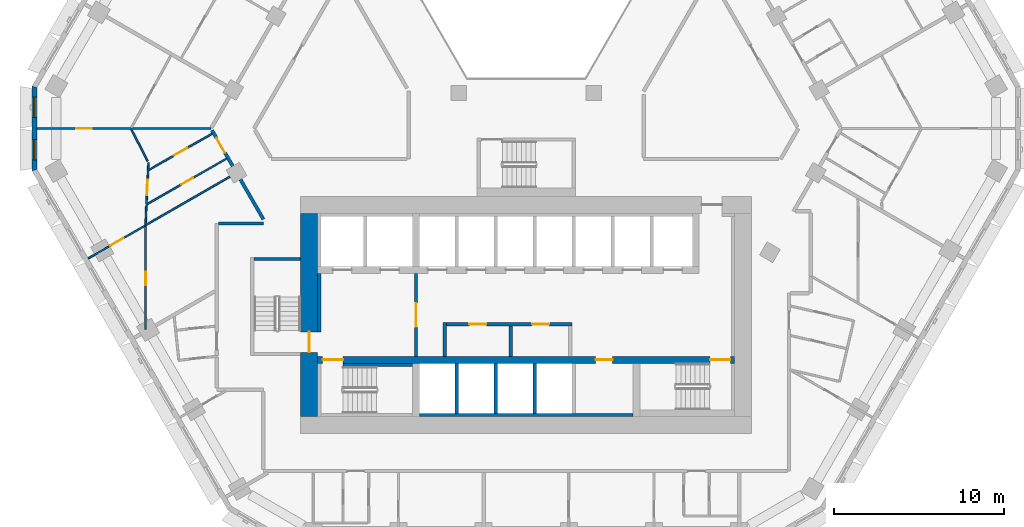
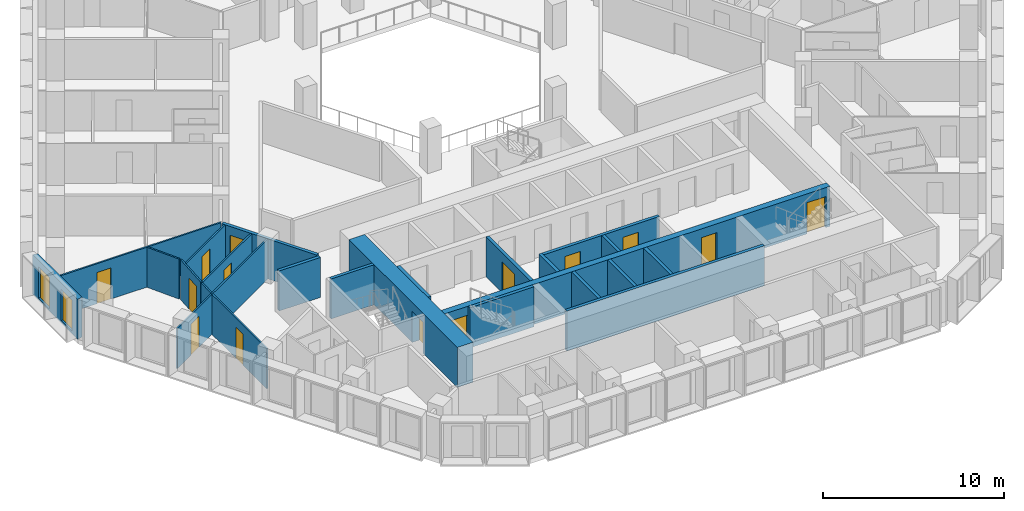
# One storey, part 4 of 18: 24 walls, 14 doors, 2 windows, 16 openings.
"""IFC4 building model written with IfcOpenShell, lengths in metres."""

from ifc_helpers import new_model, si_unit, direction, frame, frame_2d, origin, place, context, subcontext, project, spatial, polyline, rectangle, outline, extrude, material, layer, layer_set, type_object, element, fill, save


model = new_model("IFC4")

# Units and contexts
model_context = context("Model", 3, precision=1e-05, world=origin(), true_north=direction((0.0, 1.0)))
body_context = subcontext(model_context, "Body", "Model", "MODEL_VIEW")
ifc_project = project(units=[si_unit("LENGTHUNIT", "METRE"), si_unit("AREAUNIT", "SQUARE_METRE"), si_unit("VOLUMEUNIT", "CUBIC_METRE"), si_unit("PLANEANGLEUNIT", "RADIAN"), si_unit("MASSUNIT", "GRAM", prefix="KILO")], contexts=[model_context])

# Site, building, storey
site_placement = place(None, origin())
site = spatial("IfcSite", under=ifc_project, at=site_placement, CompositionType="ELEMENT")
building_placement = place(site_placement, origin())
building = spatial("IfcBuilding", under=site, at=building_placement, Name="Beryl Residences", CompositionType="ELEMENT")
storey_placement = place(building_placement, frame((0.0, 0.0, 75.0)))
storey = spatial("IfcBuildingStorey", under=building, at=storey_placement, Name="L22", CompositionType="ELEMENT", Elevation=75.0)

# Wall, openings, windows
ifc_material_1 = material(Name="Composite metal panel with mineral wool insulation")
ifc_layer_1 = layer(ifc_material_1, 0.300048828125)
ifc_layer_set_1 = layer_set([ifc_layer_1], Name="ES1 pale metal composite panel wall 300 mm")
wall_type_1 = type_object("IfcWallType", Name="ES1 pale metal composite panel wall 300 mm", PredefinedType="SOLIDWALL", material=ifc_layer_set_1)
wall_1_placement = place(storey_placement, frame((-29.007080078125, 1.5, 0.0), z_axis=(0.0, 0.0, 1.0), x_axis=(0.0, -1.0, 0.0)))
wall_1 = element("IfcWall", 1, at=wall_1_placement, inside=storey, type_object=wall_type_1, Name="ES1 external wall L22 NW-SW", PredefinedType="SOLIDWALL", context=body_context, shape_type="SweptSolid", body=[
    extrude(outline(polyline([(0.0, -0.14990234375), (5.0, -0.14990234375), (4.919677734375, 0.14990234375), (0.080322265625, 0.14990234375), (0.0, -0.14990234375)])), origin(), (0.0, 0.0, 1.0), 2.699951171875),
])
opening_1_placement = place(wall_1_placement, frame((0.64990234375, 0.0, 0.14990234375)))
opening_1 = element("IfcOpeningElement", 2, at=opening_1_placement, cuts=wall_1, Name="Opening W2", PredefinedType="OPENING", context=body_context, shape_type="SweptSolid", body=[
    extrude(rectangle(XDim=1.199951171875, YDim=2.10009765625, at=frame_2d((0.60009765625, 1.050048828125))), frame((0.0, 0.159912109375, 0.0), z_axis=(0.0, -1.0, 0.0), x_axis=(1.0, 0.0, 0.0)), (0.0, 0.0, 1.0), 0.320068359375),
])
opening_2_placement = place(wall_1_placement, frame((3.14990234375, 0.0, 0.14990234375)))
opening_2 = element("IfcOpeningElement", 3, at=opening_2_placement, cuts=wall_1, Name="Opening W2", PredefinedType="OPENING", context=body_context, shape_type="SweptSolid", body=[
    extrude(rectangle(XDim=1.199951171875, YDim=2.10009765625, at=frame_2d((0.60009765625, 1.050048828125))), frame((0.0, 0.159912109375, 0.0), z_axis=(0.0, -1.0, 0.0), x_axis=(1.0, 0.0, 0.0)), (0.0, 0.0, 1.0), 0.320068359375),
])
ifc_material_2 = material(Name="Aluminium and clear glass", Category="aluminium")
window_type = type_object("IfcWindowType", Name="W2 chamfer window 1200 x 2100 mm", PartitioningType="SINGLE_PANEL", PredefinedType="WINDOW", material=ifc_material_2)
window_1_placement = place(opening_1_placement, origin())
window_1 = element("IfcWindow", 4, at=window_1_placement, inside=storey, type_object=window_type, Name="W2 window L22 NW-SW 1", OverallHeight=2.10009765625, OverallWidth=1.199951171875, PartitioningType="SINGLE_PANEL", PredefinedType="WINDOW", context=body_context, shape_type="SweptSolid", body=[
    extrude(rectangle(XDim=1.199951171875, YDim=2.10009765625, at=frame_2d((0.60009765625, 1.050048828125))), frame((0.0, 0.030029296875, 0.0), z_axis=(0.0, -1.0, 0.0), x_axis=(1.0, 0.0, 0.0)), (0.0, 0.0, 1.0), 0.06005859375),
])
fill(opening_1, window_1)
window_2_placement = place(opening_2_placement, origin())
window_2 = element("IfcWindow", 5, at=window_2_placement, inside=storey, type_object=window_type, Name="W2 window L22 NW-SW 2", OverallHeight=2.10009765625, OverallWidth=1.199951171875, PartitioningType="SINGLE_PANEL", PredefinedType="WINDOW", context=body_context, shape_type="SweptSolid", body=[
    extrude(rectangle(XDim=1.199951171875, YDim=2.10009765625, at=frame_2d((0.60009765625, 1.050048828125))), frame((0.0, 0.030029296875, 0.0), z_axis=(0.0, -1.0, 0.0), x_axis=(1.0, 0.0, 0.0)), (0.0, 0.0, 1.0), 0.06005859375),
])
fill(opening_2, window_2)

# Wall
ifc_material_3 = material(Name="Gypsum board partition on steel studs", Category="steel")
ifc_layer_2 = layer(ifc_material_3, 0.10009765625)
ifc_layer_set_2 = layer_set([ifc_layer_2], Name="PT1 partition 100 mm gypsum board on steel studs")
wall_type_2 = type_object("IfcWallType", Name="PT1 partition 100 mm gypsum board on steel studs", PredefinedType="PARTITIONING", material=ifc_layer_set_2)
wall_2_placement = place(storey_placement, frame((-23.2890625, -1.053955078125, 0.0), z_axis=(0.0, 0.0, 1.0), x_axis=(0.458226112305, -0.888835659726, 0.0)))
element("IfcWall", 6, at=wall_2_placement, inside=storey, type_object=wall_type_2, Name="Wall PT1 L22 009", PredefinedType="PARTITIONING", context=body_context, shape_type="SweptSolid", body=[
    extrude(rectangle(XDim=2.10400390625, YDim=0.10009765625, at=frame_2d((1.052001953125, 0.0))), origin(), (0.0, 0.0, 1.0), 2.699951171875),
])

# Wall, opening, door
wall_3_placement = place(storey_placement, frame((-28.85693359375, -1.0009765625, 0.0), z_axis=(0.0, 0.0, 1.0), x_axis=(1.0, 0.0, 0.0)))
wall_3 = element("IfcWall", 7, at=wall_3_placement, inside=storey, type_object=wall_type_2, Name="Wall PT1 L22 032", PredefinedType="PARTITIONING", context=body_context, shape_type="SweptSolid", body=[
    extrude(rectangle(XDim=10.265869140625, YDim=0.10009765625, at=frame_2d((5.1328125, 0.0))), origin(), (0.0, 0.0, 1.0), 2.699951171875),
])
opening_3_placement = place(wall_3_placement, frame((2.320068359375, 0.0, 0.0)))
opening_3 = element("IfcOpeningElement", 8, at=opening_3_placement, cuts=wall_3, Name="Opening D0621", PredefinedType="OPENING", context=body_context, shape_type="SweptSolid", body=[
    extrude(rectangle(XDim=0.89990234375, YDim=2.10009765625, at=frame_2d((0.449951171875, 1.050048828125))), frame((0.0, 0.06005859375, 0.0), z_axis=(0.0, -1.0, 0.0), x_axis=(1.0, 0.0, 0.0)), (0.0, 0.0, 1.0), 0.1201171875),
])
ifc_material_4 = material(Name="Timber door leaf", Category="wood")
door_type_1 = type_object("IfcDoorType", Name="D2 room door 900 x 2100 mm", OperationType="SINGLE_SWING_LEFT", PredefinedType="DOOR", material=ifc_material_4)
door_1_placement = place(opening_3_placement, origin())
door_1 = element("IfcDoor", 9, at=door_1_placement, inside=storey, type_object=door_type_1, Name="Door D0621 L22 001", OperationType="SINGLE_SWING_LEFT", OverallHeight=2.10009765625, OverallWidth=0.89990234375, PredefinedType="DOOR", context=body_context, shape_type="SweptSolid", body=[
    extrude(rectangle(XDim=0.89990234375, YDim=2.10009765625, at=frame_2d((0.449951171875, 1.050048828125))), frame((0.0, 0.02490234375, 0.0), z_axis=(0.0, -1.0, 0.0), x_axis=(1.0, 0.0, 0.0)), (0.0, 0.0, 1.0), 0.050048828125),
])
fill(opening_3, door_1)

wall_4_placement = place(storey_placement, frame((-22.39892578125, -5.449951171875, 0.0), z_axis=(0.0, 0.0, 1.0), x_axis=(0.049129140995, 0.998792434646, 0.0)))
wall_4 = element("IfcWall", 10, at=wall_4_placement, inside=storey, type_object=wall_type_2, Name="Wall PT1 L22 052", PredefinedType="PARTITIONING", context=body_context, shape_type="SweptSolid", body=[
    extrude(rectangle(XDim=2.43994140625, YDim=0.10009765625, at=frame_2d((1.219970703125, 0.0))), origin(), (0.0, 0.0, 1.0), 2.699951171875),
])
opening_4_placement = place(wall_4_placement, frame((0.52197265625, 0.0, 0.0)))
opening_4 = element("IfcOpeningElement", 11, at=opening_4_placement, cuts=wall_4, Name="Opening D0620", PredefinedType="OPENING", context=body_context, shape_type="SweptSolid", body=[
    extrude(rectangle(XDim=0.89990234375, YDim=2.10009765625, at=frame_2d((0.449951171875, 1.050048828125))), frame((0.0, 0.06005859375, 0.0), z_axis=(0.0, -1.0, 0.0), x_axis=(1.0, 0.0, 0.0)), (0.0, 0.0, 1.0), 0.1201171875),
])
door_2_placement = place(opening_4_placement, origin())
door_2 = element("IfcDoor", 12, at=door_2_placement, inside=storey, type_object=door_type_1, Name="Door D0620 L22 001", OperationType="SINGLE_SWING_RIGHT", OverallHeight=2.10009765625, OverallWidth=0.89990234375, PredefinedType="DOOR", context=body_context, shape_type="SweptSolid", body=[
    extrude(rectangle(XDim=0.89990234375, YDim=2.10009765625, at=frame_2d((0.449951171875, 1.050048828125))), frame((0.0, 0.02490234375, 0.0), z_axis=(0.0, -1.0, 0.0), x_axis=(1.0, 0.0, 0.0)), (0.0, 0.0, 1.0), 0.050048828125),
])
fill(opening_4, door_2)

# Wall
wall_5_placement = place(storey_placement, frame((-22.447998046875, -6.65087890625, 0.0), z_axis=(0.0, 0.0, 1.0), x_axis=(0.040729401597, 0.99917021365, 0.0)))
element("IfcWall", 13, at=wall_5_placement, inside=storey, type_object=wall_type_2, Name="Wall PT1 L22 053", PredefinedType="PARTITIONING", context=body_context, shape_type="SweptSolid", body=[
    extrude(rectangle(XDim=1.126953125, YDim=0.10009765625, at=frame_2d((0.5634765625, 0.0))), origin(), (0.0, 0.0, 1.0), 2.699951171875),
])

# Wall, opening, door
wall_6_placement = place(storey_placement, frame((-22.449951171875, -12.845947265625, 0.0), z_axis=(0.0, 0.0, 1.0), x_axis=(0.0, 1.0, 0.0)))
wall_6 = element("IfcWall", 14, at=wall_6_placement, inside=storey, type_object=wall_type_2, Name="Wall PT1 L22 066", PredefinedType="PARTITIONING", context=body_context, shape_type="SweptSolid", body=[
    extrude(rectangle(XDim=6.077880859375, YDim=0.10009765625, at=frame_2d((3.0390625, 0.0))), origin(), (0.0, 0.0, 1.0), 2.699951171875),
])
opening_5_placement = place(wall_6_placement, frame((2.610107421875, 0.0, 0.0)))
opening_5 = element("IfcOpeningElement", 15, at=opening_5_placement, cuts=wall_6, Name="Opening D0623", PredefinedType="OPENING", context=body_context, shape_type="SweptSolid", body=[
    extrude(rectangle(XDim=0.800048828125, YDim=2.10009765625, at=frame_2d((0.39990234375, 1.050048828125))), frame((0.0, 0.06005859375, 0.0), z_axis=(0.0, -1.0, 0.0), x_axis=(1.0, 0.0, 0.0)), (0.0, 0.0, 1.0), 0.1201171875),
])
ifc_material_5 = material(Name="Timber door leaf", Category="wood")
door_type_2 = type_object("IfcDoorType", Name="D3 bathroom door 800 x 2100 mm", OperationType="SINGLE_SWING_LEFT", PredefinedType="DOOR", material=ifc_material_5)
door_3_placement = place(opening_5_placement, origin())
door_3 = element("IfcDoor", 16, at=door_3_placement, inside=storey, type_object=door_type_2, Name="Door D0623 L22 001", OperationType="SINGLE_SWING_LEFT", OverallHeight=2.10009765625, OverallWidth=0.800048828125, PredefinedType="DOOR", context=body_context, shape_type="SweptSolid", body=[
    extrude(rectangle(XDim=0.800048828125, YDim=2.10009765625, at=frame_2d((0.39990234375, 1.050048828125))), frame((0.0, 0.02490234375, 0.0), z_axis=(0.0, -1.0, 0.0), x_axis=(1.0, 0.0, 0.0)), (0.0, 0.0, 1.0), 0.050048828125),
])
fill(opening_5, door_3)

wall_7_placement = place(storey_placement, frame((-25.830078125, -8.662109375, 0.0), z_axis=(0.0, 0.0, 1.0), x_axis=(0.866022959057, 0.500004234368, 0.0)))
wall_7 = element("IfcWall", 17, at=wall_7_placement, inside=storey, type_object=wall_type_2, Name="Wall PT1 L22 071", PredefinedType="PARTITIONING", context=body_context, shape_type="SweptSolid", body=[
    extrude(rectangle(XDim=10.0, YDim=0.10009765625, at=frame_2d((5.0, 0.0))), origin(), (0.0, 0.0, 1.0), 2.699951171875),
])
opening_6_placement = place(wall_7_placement, frame((1.5009765625, 0.0, 0.0)))
opening_6 = element("IfcOpeningElement", 18, at=opening_6_placement, cuts=wall_7, Name="Opening D0622", PredefinedType="OPENING", context=body_context, shape_type="SweptSolid", body=[
    extrude(rectangle(XDim=0.89990234375, YDim=2.10009765625, at=frame_2d((0.449951171875, 1.050048828125))), frame((0.0, 0.06005859375, 0.0), z_axis=(0.0, -1.0, 0.0), x_axis=(1.0, 0.0, 0.0)), (0.0, 0.0, 1.0), 0.1201171875),
])
door_4_placement = place(opening_6_placement, origin())
door_4 = element("IfcDoor", 19, at=door_4_placement, inside=storey, type_object=door_type_1, Name="Door D0622 L22 001", OperationType="SINGLE_SWING_RIGHT", OverallHeight=2.10009765625, OverallWidth=0.89990234375, PredefinedType="DOOR", context=body_context, shape_type="SweptSolid", body=[
    extrude(rectangle(XDim=0.89990234375, YDim=2.10009765625, at=frame_2d((0.449951171875, 1.050048828125))), frame((0.0, 0.02490234375, 0.0), z_axis=(0.0, -1.0, 0.0), x_axis=(1.0, 0.0, 0.0)), (0.0, 0.0, 1.0), 0.050048828125),
])
fill(opening_6, door_4)

wall_8_placement = place(storey_placement, frame((-22.40087890625, -5.489990234375, 0.0), z_axis=(0.0, 0.0, 1.0), x_axis=(0.867314404256, 0.497760709749, 0.0)))
wall_8 = element("IfcWall", 20, at=wall_8_placement, inside=storey, type_object=wall_type_2, Name="Wall PT1 L22 072", PredefinedType="PARTITIONING", context=body_context, shape_type="SweptSolid", body=[
    extrude(rectangle(XDim=5.4443359375, YDim=0.10009765625, at=frame_2d((2.72216796875, 0.0))), origin(), (0.0, 0.0, 1.0), 2.699951171875),
])
opening_7_placement = place(wall_8_placement, frame((2.3720703125, 0.0, 0.0)))
opening_7 = element("IfcOpeningElement", 21, at=opening_7_placement, cuts=wall_8, Name="Opening D0618", PredefinedType="OPENING", context=body_context, shape_type="SweptSolid", body=[
    extrude(rectangle(XDim=0.800048828125, YDim=2.10009765625, at=frame_2d((0.39990234375, 1.050048828125))), frame((0.0, 0.06005859375, 0.0), z_axis=(0.0, -1.0, 0.0), x_axis=(1.0, 0.0, 0.0)), (0.0, 0.0, 1.0), 0.1201171875),
])
door_5_placement = place(opening_7_placement, origin())
door_5 = element("IfcDoor", 22, at=door_5_placement, inside=storey, type_object=door_type_2, Name="Door D0618 L22 001", OperationType="SINGLE_SWING_RIGHT", OverallHeight=2.10009765625, OverallWidth=0.800048828125, PredefinedType="DOOR", context=body_context, shape_type="SweptSolid", body=[
    extrude(rectangle(XDim=0.800048828125, YDim=2.10009765625, at=frame_2d((0.39990234375, 1.050048828125))), frame((0.0, 0.02490234375, 0.0), z_axis=(0.0, -1.0, 0.0), x_axis=(1.0, 0.0, 0.0)), (0.0, 0.0, 1.0), 0.050048828125),
])
fill(opening_7, door_5)

wall_9_placement = place(storey_placement, frame((-22.25, -3.443115234375, 0.0), z_axis=(0.0, 0.0, 1.0), x_axis=(0.867362741349, 0.497676476156, 0.0)))
wall_9 = element("IfcWall", 23, at=wall_9_placement, inside=storey, type_object=wall_type_2, Name="Wall PT1 L22 073", PredefinedType="PARTITIONING", context=body_context, shape_type="SweptSolid", body=[
    extrude(rectangle(XDim=4.2900390625, YDim=0.10009765625, at=frame_2d((2.14501953125, 0.0))), origin(), (0.0, 0.0, 1.0), 2.699951171875),
])
opening_8_placement = place(wall_9_placement, frame((1.715087890625, 0.0, 0.0)))
opening_8 = element("IfcOpeningElement", 24, at=opening_8_placement, cuts=wall_9, Name="Opening D0619", PredefinedType="OPENING", context=body_context, shape_type="SweptSolid", body=[
    extrude(rectangle(XDim=0.89990234375, YDim=2.10009765625, at=frame_2d((0.449951171875, 1.050048828125))), frame((0.0, 0.06005859375, 0.0), z_axis=(0.0, -1.0, 0.0), x_axis=(1.0, 0.0, 0.0)), (0.0, 0.0, 1.0), 0.1201171875),
])
door_6_placement = place(opening_8_placement, origin())
door_6 = element("IfcDoor", 25, at=door_6_placement, inside=storey, type_object=door_type_1, Name="Door D0619 L22 001", OperationType="SINGLE_SWING_LEFT", OverallHeight=2.10009765625, OverallWidth=0.89990234375, PredefinedType="DOOR", context=body_context, shape_type="SweptSolid", body=[
    extrude(rectangle(XDim=0.89990234375, YDim=2.10009765625, at=frame_2d((0.449951171875, 1.050048828125))), frame((0.0, 0.02490234375, 0.0), z_axis=(0.0, -1.0, 0.0), x_axis=(1.0, 0.0, 0.0)), (0.0, 0.0, 1.0), 0.050048828125),
])
fill(opening_8, door_6)

# Wall
ifc_material_6 = material(Name="Concrete masonry", Category="masonry")
ifc_layer_3 = layer(ifc_material_6, 0.199951171875)
ifc_layer_set_3 = layer_set([ifc_layer_3], Name="PT13 lobby wall 200 mm")
wall_type_3 = type_object("IfcWallType", Name="PT13 lobby wall 200 mm", PredefinedType="PARTITIONING", material=ifc_layer_set_3)
wall_10_placement = place(storey_placement, frame((-12.199951171875, -13.0, 0.0), z_axis=(0.0, 0.0, 1.0), x_axis=(0.0, 1.0, 0.0)))
element("IfcWall", 26, at=wall_10_placement, inside=storey, type_object=wall_type_3, Name="Lobby wall 05", PredefinedType="PARTITIONING", context=body_context, shape_type="SweptSolid", body=[
    extrude(rectangle(XDim=3.449951171875, YDim=0.199951171875, at=frame_2d((1.72509765625, 0.0))), origin(), (0.0, 0.0, 1.0), 2.699951171875),
])

# Wall, opening, door
wall_11_placement = place(storey_placement, frame((-6.5, -14.449951171875, 0.0), z_axis=(0.0, 0.0, 1.0), x_axis=(0.0, 1.0, 0.0)))
wall_11 = element("IfcWall", 27, at=wall_11_placement, inside=storey, type_object=wall_type_3, Name="Lobby wall 11", PredefinedType="PARTITIONING", context=body_context, shape_type="SweptSolid", body=[
    extrude(rectangle(XDim=4.89990234375, YDim=0.199951171875, at=frame_2d((2.449951171875, 0.0))), origin(), (0.0, 0.0, 1.0), 2.699951171875),
])
opening_9_placement = place(wall_11_placement, frame((3.14990234375, 0.0, 0.0), z_axis=(0.0, 0.0, 1.0), x_axis=(-1.0, 0.0, 0.0)))
opening_9 = element("IfcOpeningElement", 28, at=opening_9_placement, cuts=wall_11, Name="Opening FD-FFL", PredefinedType="OPENING", context=body_context, shape_type="SweptSolid", body=[
    extrude(rectangle(XDim=1.39990234375, YDim=2.10009765625, at=frame_2d((0.699951171875, 1.050048828125))), frame((0.0, 0.10986328125, 0.0), z_axis=(0.0, -1.0, 0.0), x_axis=(1.0, 0.0, 0.0)), (0.0, 0.0, 1.0), 0.219970703125),
])
ifc_material_7 = material(Name="Steel door leaf in steel frame", Category="steel")
door_type_3 = type_object("IfcDoorType", Name="D5 lobby door 1400 x 2100 mm", OperationType="DOUBLE_DOOR_SINGLE_SWING", PredefinedType="DOOR", material=ifc_material_7)
door_7_placement = place(opening_9_placement, origin())
door_7 = element("IfcDoor", 29, at=door_7_placement, inside=storey, type_object=door_type_3, Name="Door FD-FFL L22 001", OperationType="DOUBLE_DOOR_SINGLE_SWING", OverallHeight=2.10009765625, OverallWidth=1.39990234375, PredefinedType="DOOR", context=body_context, shape_type="SweptSolid", body=[
    extrude(rectangle(XDim=1.39990234375, YDim=2.10009765625, at=frame_2d((0.699951171875, 1.050048828125))), frame((0.0, 0.02490234375, 0.0), z_axis=(0.0, -1.0, 0.0), x_axis=(1.0, 0.0, 0.0)), (0.0, 0.0, 1.0), 0.050048828125),
])
fill(opening_9, door_7)

# Wall
wall_12_placement = place(storey_placement, frame((-4.800048828125, -14.449951171875, 0.0), z_axis=(0.0, 0.0, 1.0), x_axis=(0.0, 1.0, 0.0)))
element("IfcWall", 30, at=wall_12_placement, inside=storey, type_object=wall_type_3, Name="Lobby wall 14", PredefinedType="PARTITIONING", context=body_context, shape_type="SweptSolid", body=[
    extrude(rectangle(XDim=2.0, YDim=0.199951171875, at=frame_2d((1.0, 0.0))), origin(), (0.0, 0.0, 1.0), 2.699951171875),
])

# Wall, openings, doors
wall_13_placement = place(storey_placement, frame((-4.699951171875, -12.550048828125, 0.0), z_axis=(0.0, 0.0, 1.0), x_axis=(1.0, 0.0, 0.0)))
wall_13 = element("IfcWall", 31, at=wall_13_placement, inside=storey, type_object=wall_type_3, Name="Lobby wall 15", PredefinedType="PARTITIONING", context=body_context, shape_type="SweptSolid", body=[
    extrude(rectangle(XDim=7.39990234375, YDim=0.199951171875, at=frame_2d((3.699951171875, 0.0))), origin(), (0.0, 0.0, 1.0), 2.699951171875),
])
opening_10_placement = place(wall_13_placement, frame((2.35009765625, 0.0, 0.0), z_axis=(0.0, 0.0, 1.0), x_axis=(-1.0, 0.0, 0.0)))
opening_10 = element("IfcOpeningElement", 32, at=opening_10_placement, cuts=wall_13, Name="Opening CD-D-A1", PredefinedType="OPENING", context=body_context, shape_type="SweptSolid", body=[
    extrude(rectangle(XDim=1.0, YDim=2.10009765625, at=frame_2d((0.5, 1.050048828125))), frame((0.0, 0.10986328125, 0.0), z_axis=(0.0, -1.0, 0.0), x_axis=(1.0, 0.0, 0.0)), (0.0, 0.0, 1.0), 0.219970703125),
])
opening_11_placement = place(wall_13_placement, frame((6.050048828125, 0.0, 0.0), z_axis=(0.0, 0.0, 1.0), x_axis=(-1.0, 0.0, 0.0)))
opening_11 = element("IfcOpeningElement", 33, at=opening_11_placement, cuts=wall_13, Name="Opening CD-D-A2", PredefinedType="OPENING", context=body_context, shape_type="SweptSolid", body=[
    extrude(rectangle(XDim=1.0, YDim=2.10009765625, at=frame_2d((0.5, 1.050048828125))), frame((0.0, 0.10986328125, 0.0), z_axis=(0.0, -1.0, 0.0), x_axis=(1.0, 0.0, 0.0)), (0.0, 0.0, 1.0), 0.219970703125),
])
ifc_material_8 = material(Name="Steel door leaf in steel frame", Category="steel")
door_type_4 = type_object("IfcDoorType", Name="D18 service room door 1000 x 2100 mm", OperationType="SINGLE_SWING_LEFT", PredefinedType="DOOR", material=ifc_material_8)
door_8_placement = place(opening_10_placement, origin())
door_8 = element("IfcDoor", 34, at=door_8_placement, inside=storey, type_object=door_type_4, Name="Door CD-D-A1 L22 001", OperationType="SINGLE_SWING_RIGHT", OverallHeight=2.10009765625, OverallWidth=1.0, PredefinedType="DOOR", context=body_context, shape_type="SweptSolid", body=[
    extrude(rectangle(XDim=1.0, YDim=2.10009765625, at=frame_2d((0.5, 1.050048828125))), frame((0.0, 0.02490234375, 0.0), z_axis=(0.0, -1.0, 0.0), x_axis=(1.0, 0.0, 0.0)), (0.0, 0.0, 1.0), 0.050048828125),
])
fill(opening_10, door_8)
door_9_placement = place(opening_11_placement, origin())
door_9 = element("IfcDoor", 35, at=door_9_placement, inside=storey, type_object=door_type_4, Name="Door CD-D-A2 L22 001", OperationType="SINGLE_SWING_LEFT", OverallHeight=2.10009765625, OverallWidth=1.0, PredefinedType="DOOR", context=body_context, shape_type="SweptSolid", body=[
    extrude(rectangle(XDim=1.0, YDim=2.10009765625, at=frame_2d((0.5, 1.050048828125))), frame((0.0, 0.02490234375, 0.0), z_axis=(0.0, -1.0, 0.0), x_axis=(1.0, 0.0, 0.0)), (0.0, 0.0, 1.0), 0.050048828125),
])
fill(opening_11, door_9)

# Wall, opening, door
ifc_material_9 = material(Name="Double stud gypsum board wall")
ifc_layer_4 = layer(ifc_material_9, 0.199951171875)
ifc_layer_set_4 = layer_set([ifc_layer_4], Name="PT4 corridor wall 200 mm double stud")
wall_type_4 = type_object("IfcWallType", Name="PT4 corridor wall 200 mm double stud", PredefinedType="PARTITIONING", material=ifc_layer_set_4)
wall_14_placement = place(storey_placement, frame((-18.532958984375, -1.10107421875, 0.0), z_axis=(0.0, 0.0, 1.0), x_axis=(0.500022085096, -0.866012652573, 0.0)))
wall_14 = element("IfcWall", 36, at=wall_14_placement, inside=storey, type_object=wall_type_4, Name="Wall PT4 L22 003", PredefinedType="PARTITIONING", context=body_context, shape_type="SweptSolid", body=[
    extrude(rectangle(XDim=6.065673828125, YDim=0.199951171875, at=frame_2d((3.03271484375, 0.0))), origin(), (0.0, 0.0, 1.0), 2.699951171875),
])
opening_12_placement = place(wall_14_placement, frame((0.531982421875, 0.0, 0.0)))
opening_12 = element("IfcOpeningElement", 37, at=opening_12_placement, cuts=wall_14, Name="Opening D0617", PredefinedType="OPENING", context=body_context, shape_type="SweptSolid", body=[
    extrude(rectangle(XDim=1.0, YDim=2.10009765625, at=frame_2d((0.5, 1.050048828125))), frame((0.0, 0.10986328125, 0.0), z_axis=(0.0, -1.0, 0.0), x_axis=(1.0, 0.0, 0.0)), (0.0, 0.0, 1.0), 0.219970703125),
])
ifc_material_10 = material(Name="Timber door leaf", Category="wood")
door_type_5 = type_object("IfcDoorType", Name="D1 flat entrance door 1000 x 2100 mm", OperationType="SINGLE_SWING_LEFT", PredefinedType="DOOR", material=ifc_material_10)
door_10_placement = place(opening_12_placement, origin())
door_10 = element("IfcDoor", 38, at=door_10_placement, inside=storey, type_object=door_type_5, Name="Door D0617 L22 001", OperationType="SINGLE_SWING_LEFT", OverallHeight=2.10009765625, OverallWidth=1.0, PredefinedType="DOOR", context=body_context, shape_type="SweptSolid", body=[
    extrude(rectangle(XDim=1.0, YDim=2.10009765625, at=frame_2d((0.5, 1.050048828125))), frame((0.0, 0.02490234375, 0.0), z_axis=(0.0, -1.0, 0.0), x_axis=(1.0, 0.0, 0.0)), (0.0, 0.0, 1.0), 0.050048828125),
])
fill(opening_12, door_10)

# Walls
wall_15_placement = place(storey_placement, frame((-18.14990234375, -6.60009765625, 0.0), z_axis=(0.0, 0.0, 1.0), x_axis=(1.0, 0.0, 0.0)))
element("IfcWall", 39, at=wall_15_placement, inside=storey, type_object=wall_type_4, Name="Wall PT4 L22 013", PredefinedType="PARTITIONING", context=body_context, shape_type="SweptSolid", body=[
    extrude(rectangle(XDim=2.64892578125, YDim=0.199951171875, at=frame_2d((1.324462890625, 0.0))), origin(), (0.0, 0.0, 1.0), 2.699951171875),
])
ifc_material_11 = material(Name="Concrete C40/50", Category="concrete")
ifc_layer_5 = layer(ifc_material_11, 0.199951171875)
ifc_layer_set_5 = layer_set([ifc_layer_5], Name="PT5 stair enclosure wall 200 mm reinforced concrete C40/50")
wall_type_5 = type_object("IfcWallType", Name="PT5 stair enclosure wall 200 mm reinforced concrete C40/50", PredefinedType="SOLIDWALL", material=ifc_layer_set_5)
wall_16_placement = place(storey_placement, frame((-16.050048828125, -8.699951171875, 0.0), z_axis=(0.0, 0.0, 1.0), x_axis=(1.0, 0.0, 0.0)))
element("IfcWall", 40, at=wall_16_placement, inside=storey, type_object=wall_type_5, Name="Stair wall 03", PredefinedType="SOLIDWALL", context=body_context, shape_type="SweptSolid", body=[
    extrude(rectangle(XDim=2.75, YDim=0.199951171875, at=frame_2d((1.375, 0.0))), origin(), (0.0, 0.0, 1.0), 2.699951171875),
])
wall_17_placement = place(storey_placement, frame((-10.800048828125, -14.949951171875, 0.0), z_axis=(0.0, 0.0, 1.0), x_axis=(1.0, 0.0, 0.0)))
element("IfcWall", 41, at=wall_17_placement, inside=storey, type_object=wall_type_5, Name="Stair wall 09", PredefinedType="SOLIDWALL", context=body_context, shape_type="SweptSolid", body=[
    extrude(rectangle(XDim=4.10009765625, YDim=0.199951171875, at=frame_2d((2.050048828125, 0.0))), origin(), (0.0, 0.0, 1.0), 2.699951171875),
])
ifc_material_12 = material(Name="Concrete C40/50", Category="concrete")
ifc_layer_6 = layer(ifc_material_12, 0.199951171875)
ifc_layer_set_6 = layer_set([ifc_layer_6], Name="PT6 lift shaft wall 200 mm reinforced concrete C40/50")
wall_type_6 = type_object("IfcWallType", Name="PT6 lift shaft wall 200 mm reinforced concrete C40/50", PredefinedType="SOLIDWALL", material=ifc_layer_set_6)
wall_18_placement = place(storey_placement, frame((-6.300048828125, -17.89990234375, 0.0), z_axis=(0.0, 0.0, 1.0), x_axis=(1.0, 0.0, 0.0)))
element("IfcWall", 42, at=wall_18_placement, inside=storey, type_object=wall_type_6, Name="Lift shaft wall 12", PredefinedType="SOLIDWALL", context=body_context, shape_type="SweptSolid", body=[
    extrude(rectangle(XDim=12.60009765625, YDim=0.199951171875, at=frame_2d((6.300048828125, 0.0))), origin(), (0.0, 0.0, 1.0), 2.699951171875),
])
for number, where, z_axis, x_axis, name in (
    (43, (-4.10009765625, -17.800048828125, 0.0), (0.0, 0.0, 1.0), (0.0, 1.0, 0.0), "Lift shaft wall 16"),
    (44, (-1.800048828125, -17.800048828125, 0.0), (0.0, 0.0, 1.0), (0.0, 1.0, 0.0), "Lift shaft wall 18"),
    (45, (0.5, -17.800048828125, 0.0), (0.0, 0.0, 1.0), (0.0, 1.0, 0.0), "Lift shaft wall 21"),
):
    element("IfcWall", number, at=place(storey_placement, frame(where, z_axis=z_axis, x_axis=x_axis)), inside=storey, type_object=wall_type_6, Name=name, PredefinedType="SOLIDWALL", context=body_context, shape_type="SweptSolid", body=[
        extrude(rectangle(XDim=2.949951171875, YDim=0.199951171875, at=frame_2d((1.47509765625, 0.0))), origin(), (0.0, 0.0, 1.0), 2.699951171875),
    ])
ifc_material_13 = material(Name="Concrete masonry", Category="masonry")
ifc_layer_7 = layer(ifc_material_13, 0.199951171875)
ifc_layer_set_7 = layer_set([ifc_layer_7], Name="PT8-200 service room wall 200 mm")
wall_type_7 = type_object("IfcWallType", Name="PT8-200 service room wall 200 mm", PredefinedType="PARTITIONING", material=ifc_layer_set_7)
wall_19_placement = place(storey_placement, frame((-0.89990234375, -14.449951171875, 0.0), z_axis=(0.0, 0.0, 1.0), x_axis=(0.0, 1.0, 0.0)))
element("IfcWall", 46, at=wall_19_placement, inside=storey, type_object=wall_type_7, Name="Core room wall 20", PredefinedType="PARTITIONING", context=body_context, shape_type="SweptSolid", body=[
    extrude(rectangle(XDim=1.800048828125, YDim=0.199951171875, at=frame_2d((0.89990234375, 0.0))), origin(), (0.0, 0.0, 1.0), 2.699951171875),
])

# Wall, opening, door
ifc_material_14 = material(Name="Concrete C70/85", Category="concrete")
ifc_layer_8 = layer(ifc_material_14, 1.0)
ifc_layer_set_8 = layer_set([ifc_layer_8], Name="SW2 core outer wall 1000 mm C70/85")
wall_type_8 = type_object("IfcWallType", Name="SW2 core outer wall 1000 mm C70/85", PredefinedType="SHEAR", material=ifc_layer_set_8)
wall_20_placement = place(storey_placement, frame((-12.800048828125, -18.0, 0.0), z_axis=(0.0, 0.0, 1.0), x_axis=(0.0, 1.0, 0.0)))
wall_20 = element("IfcWall", 47, at=wall_20_placement, inside=storey, type_object=wall_type_8, Name="Core wall W L22", PredefinedType="SHEAR", context=body_context, shape_type="SweptSolid", body=[
    extrude(rectangle(XDim=12.0, YDim=1.0, at=frame_2d((6.0, 0.0))), origin(), (0.0, 0.0, 1.0), 2.699951171875),
])
opening_13_placement = place(wall_20_placement, frame((3.800048828125, 0.0, 0.0)))
opening_13 = element("IfcOpeningElement", 48, at=opening_13_placement, cuts=wall_20, Name="Opening SD-2", PredefinedType="OPENING", context=body_context, shape_type="SweptSolid", body=[
    extrude(rectangle(XDim=1.199951171875, YDim=2.10009765625, at=frame_2d((0.60009765625, 1.050048828125))), frame((0.0, 0.510009765625, 0.0), z_axis=(0.0, -1.0, 0.0), x_axis=(1.0, 0.0, 0.0)), (0.0, 0.0, 1.0), 1.02001953125),
])
ifc_material_15 = material(Name="Steel door leaf in steel frame", Category="steel")
door_type_6 = type_object("IfcDoorType", Name="D4 stair door 1200 x 2100 mm", OperationType="SINGLE_SWING_LEFT", PredefinedType="DOOR", material=ifc_material_15)
door_11_placement = place(opening_13_placement, origin())
door_11 = element("IfcDoor", 49, at=door_11_placement, inside=storey, type_object=door_type_6, Name="Door SD-2 L22 001", OperationType="SINGLE_SWING_RIGHT", OverallHeight=2.10009765625, OverallWidth=1.199951171875, PredefinedType="DOOR", context=body_context, shape_type="SweptSolid", body=[
    extrude(rectangle(XDim=1.199951171875, YDim=2.10009765625, at=frame_2d((0.60009765625, 1.050048828125))), frame((0.0, 0.02490234375, 0.0), z_axis=(0.0, -1.0, 0.0), x_axis=(1.0, 0.0, 0.0)), (0.0, 0.0, 1.0), 0.050048828125),
])
fill(opening_13, door_11)

# Wall, openings, doors
ifc_material_16 = material(Name="Concrete C70/85", Category="concrete")
ifc_layer_9 = layer(ifc_material_16, 0.39990234375)
ifc_layer_set_9 = layer_set([ifc_layer_9], Name="SW7 core internal wall 400 mm C70/85")
wall_type_9 = type_object("IfcWallType", Name="SW7 core internal wall 400 mm C70/85", PredefinedType="SHEAR", material=ifc_layer_set_9)
wall_21_placement = place(storey_placement, frame((-12.300048828125, -14.64990234375, 0.0), z_axis=(0.0, 0.0, 1.0), x_axis=(1.0, 0.0, 0.0)))
wall_21 = element("IfcWall", 50, at=wall_21_placement, inside=storey, type_object=wall_type_9, Name="Core wall SP1 L22", PredefinedType="SHEAR", context=body_context, shape_type="SweptSolid", body=[
    extrude(rectangle(XDim=24.60009765625, YDim=0.39990234375, at=frame_2d((12.300048828125, 0.0))), origin(), (0.0, 0.0, 1.0), 2.699951171875),
])
opening_14_placement = place(wall_21_placement, frame((1.5, 0.0, 0.0), z_axis=(0.0, 0.0, 1.0), x_axis=(-1.0, 0.0, 0.0)))
opening_14 = element("IfcOpeningElement", 51, at=opening_14_placement, cuts=wall_21, Name="Opening SD-1", PredefinedType="OPENING", context=body_context, shape_type="SweptSolid", body=[
    extrude(rectangle(XDim=1.199951171875, YDim=2.10009765625, at=frame_2d((0.60009765625, 1.050048828125))), frame((0.0, 0.2099609375, 0.0), z_axis=(0.0, -1.0, 0.0), x_axis=(1.0, 0.0, 0.0)), (0.0, 0.0, 1.0), 0.419921875),
])
opening_15_placement = place(wall_21_placement, frame((24.349853515625, 0.0, 0.0), z_axis=(0.0, 0.0, 1.0), x_axis=(-1.0, 0.0, 0.0)))
opening_15 = element("IfcOpeningElement", 52, at=opening_15_placement, cuts=wall_21, Name="Opening SD-3", PredefinedType="OPENING", context=body_context, shape_type="SweptSolid", body=[
    extrude(rectangle(XDim=1.199951171875, YDim=2.10009765625, at=frame_2d((0.60009765625, 1.050048828125))), frame((0.0, 0.2099609375, 0.0), z_axis=(0.0, -1.0, 0.0), x_axis=(1.0, 0.0, 0.0)), (0.0, 0.0, 1.0), 0.419921875),
])
opening_16_placement = place(wall_21_placement, frame((17.39990234375, 0.0, 0.0), z_axis=(0.0, 0.0, 1.0), x_axis=(-1.0, 0.0, 0.0)))
opening_16 = element("IfcOpeningElement", 53, at=opening_16_placement, cuts=wall_21, Name="Opening CD-D-S1", PredefinedType="OPENING", context=body_context, shape_type="SweptSolid", body=[
    extrude(rectangle(XDim=1.0, YDim=2.10009765625, at=frame_2d((0.5, 1.050048828125))), frame((0.0, 0.2099609375, 0.0), z_axis=(0.0, -1.0, 0.0), x_axis=(1.0, 0.0, 0.0)), (0.0, 0.0, 1.0), 0.419921875),
])
door_12_placement = place(opening_16_placement, origin())
door_12 = element("IfcDoor", 54, at=door_12_placement, inside=storey, type_object=door_type_4, Name="Door CD-D-S1 L22 001", OperationType="SINGLE_SWING_RIGHT", OverallHeight=2.10009765625, OverallWidth=1.0, PredefinedType="DOOR", context=body_context, shape_type="SweptSolid", body=[
    extrude(rectangle(XDim=1.0, YDim=2.10009765625, at=frame_2d((0.5, 1.050048828125))), frame((0.0, 0.02490234375, 0.0), z_axis=(0.0, -1.0, 0.0), x_axis=(1.0, 0.0, 0.0)), (0.0, 0.0, 1.0), 0.050048828125),
])
fill(opening_16, door_12)
door_13_placement = place(opening_14_placement, origin())
door_13 = element("IfcDoor", 55, at=door_13_placement, inside=storey, type_object=door_type_6, Name="Door SD-1 L22 001", OperationType="SINGLE_SWING_RIGHT", OverallHeight=2.10009765625, OverallWidth=1.199951171875, PredefinedType="DOOR", context=body_context, shape_type="SweptSolid", body=[
    extrude(rectangle(XDim=1.199951171875, YDim=2.10009765625, at=frame_2d((0.60009765625, 1.050048828125))), frame((0.0, 0.02490234375, 0.0), z_axis=(0.0, -1.0, 0.0), x_axis=(1.0, 0.0, 0.0)), (0.0, 0.0, 1.0), 0.050048828125),
])
fill(opening_14, door_13)
door_14_placement = place(opening_15_placement, origin())
door_14 = element("IfcDoor", 56, at=door_14_placement, inside=storey, type_object=door_type_6, Name="Door SD-3 L22 001", OperationType="SINGLE_SWING_RIGHT", OverallHeight=2.10009765625, OverallWidth=1.199951171875, PredefinedType="DOOR", context=body_context, shape_type="SweptSolid", body=[
    extrude(rectangle(XDim=1.199951171875, YDim=2.10009765625, at=frame_2d((0.60009765625, 1.050048828125))), frame((0.0, 0.02490234375, 0.0), z_axis=(0.0, -1.0, 0.0), x_axis=(1.0, 0.0, 0.0)), (0.0, 0.0, 1.0), 0.050048828125),
])
fill(opening_15, door_14)

save(model, "model.ifc")
